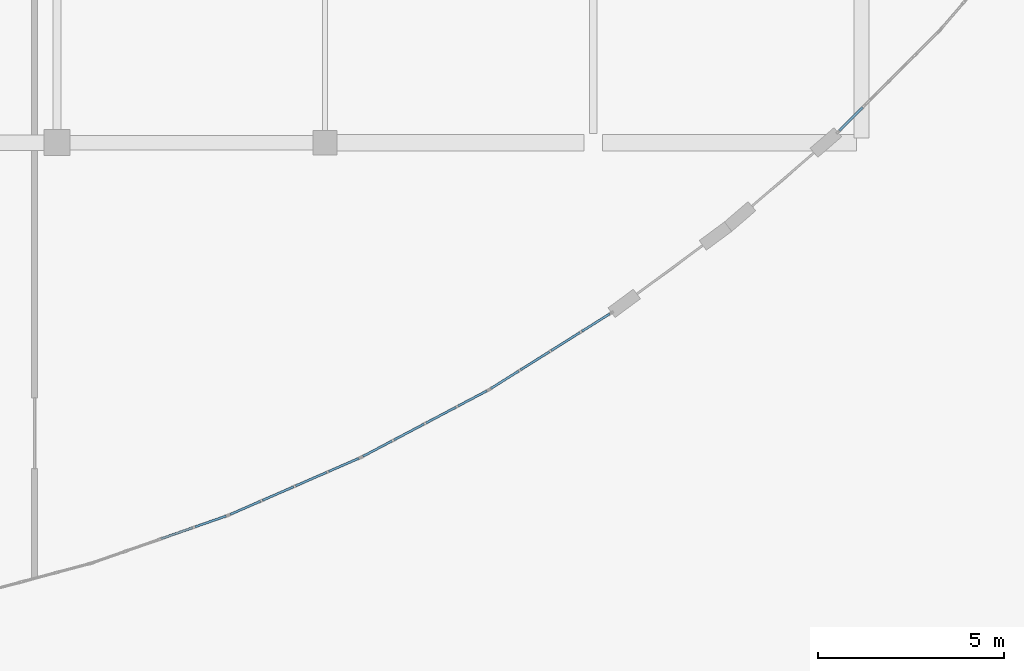
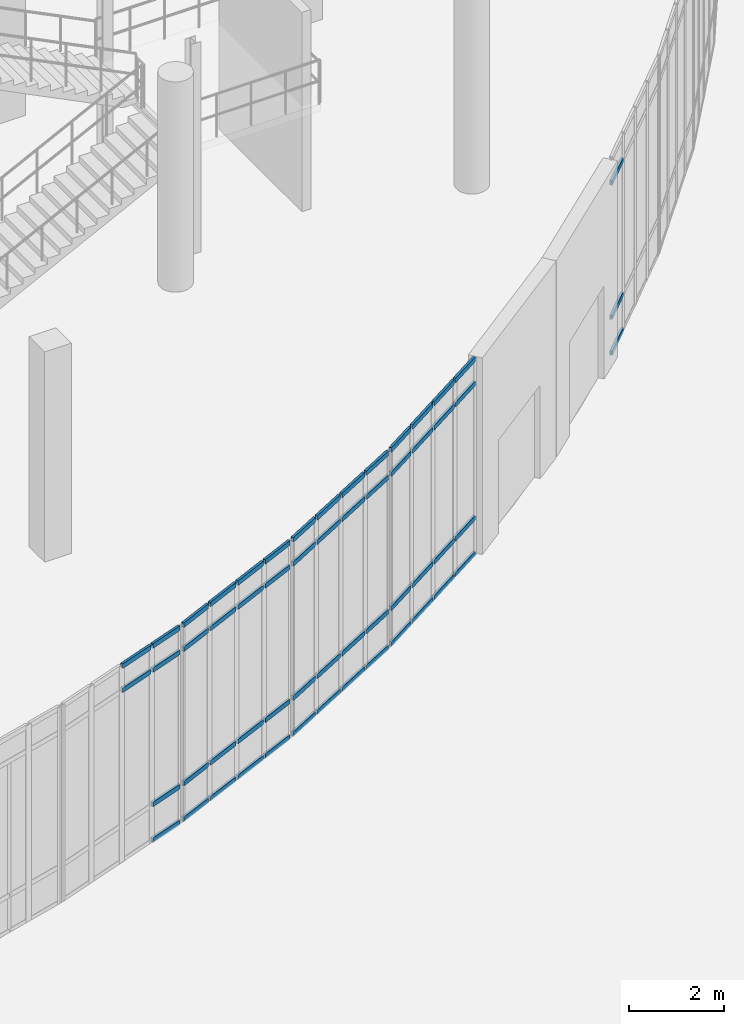
# One storey, part 69 of 110: 57 members, 5 elements without a shape of their own.
"""IFC4 building model written with IfcOpenShell, lengths in metres."""

import ifcopenshell
import ifcopenshell.guid

model = None  # the IFC model being written
_history = None  # IfcOwnerHistory: only IFC2X3 demands one
_inside = {}  # id of a spatial element -> (the spatial element, [elements in it])
_under = {}  # id of a project, library or spatial element -> (it, [spatial elements below it])
_declared = {}  # id of a project -> (the project, [libraries it declares])
_typed = {}  # id of a type object -> (the type object, [elements of that type])
_made_of = {}  # id of a material, layer set ... -> (it, [elements and type objects made of it])


def new_model(schema):
    """Start an empty IFC model of exactly this schema.

    Asked for "IFC4X3", IfcOpenShell would pick the latest addendum, in which some entities
    have other attributes; the version numbers below select the first issue.
    IFC2X3 requires an IfcOwnerHistory on every rooted entity: one is made here for all.
    """
    global model, _history
    if schema == "IFC4X3":
        model = ifcopenshell.file(schema_version=(4, 3, 0, 0))
    else:
        model = ifcopenshell.file(schema=schema)
    _inside.clear()
    _under.clear()
    _declared.clear()
    _typed.clear()
    _made_of.clear()
    _history = None
    if model.schema == "IFC2X3":
        org = make("IfcOrganization", Name="unknown")
        user = make(
            "IfcPersonAndOrganization",
            ThePerson=make("IfcPerson", FamilyName="unknown"),
            TheOrganization=org,
        )
        app = make(
            "IfcApplication",
            ApplicationDeveloper=org,
            Version="unknown",
            ApplicationFullName="unknown",
            ApplicationIdentifier="unknown",
        )
        _history = make(
            "IfcOwnerHistory",
            OwningUser=user,
            OwningApplication=app,
            ChangeAction="ADDED",
            CreationDate=0,
        )
    return model


def make(cls, **values):
    """One entity of the class cls with the attributes given. An attribute that is None is left unset."""
    return model.create_entity(
        cls, **{name: value for name, value in values.items() if value is not None}
    )


def rooted(cls, **values):
    """An entity with a GlobalId (a new one), such as an element, a storey or a relation."""
    return make(cls, GlobalId=ifcopenshell.guid.new(), OwnerHistory=_history, **values)


def si_unit(unit_type, name, prefix=None):
    """IfcSIUnit, for example si_unit("LENGTHUNIT", "METRE", prefix="MILLI")."""
    return make("IfcSIUnit", UnitType=unit_type, Prefix=prefix, Name=name)


def assignment(units):
    """IfcUnitAssignment: the units of a project."""
    return None if units is None else make("IfcUnitAssignment", Units=units)


def point(xyz):
    """IfcCartesianPoint."""
    return None if xyz is None else make("IfcCartesianPoint", Coordinates=xyz)


def direction(xyz):
    """IfcDirection."""
    return None if xyz is None else make("IfcDirection", DirectionRatios=xyz)


def frame(location, z_axis=None, x_axis=None):
    """IfcAxis2Placement3D, a coordinate frame: its origin and axes. An axis left out is left unset."""
    return make(
        "IfcAxis2Placement3D",
        Location=point(location),
        Axis=direction(z_axis),
        RefDirection=direction(x_axis),
    )


def frame_2d(location, x_axis=None):
    """IfcAxis2Placement2D, a coordinate frame in the plane: its origin and x axis."""
    return make(
        "IfcAxis2Placement2D", Location=point(location), RefDirection=direction(x_axis)
    )


def origin():
    """The frame at (0, 0, 0) with its axes left unset."""
    return frame((0.0, 0.0, 0.0))


def origin_2d():
    """The frame at (0, 0) in the plane with its x axis left unset."""
    return frame_2d((0.0, 0.0))


def place(relative_to, where):
    """IfcLocalPlacement: puts the frame where relative to a parent placement (None: the world)."""
    return make(
        "IfcLocalPlacement", PlacementRelTo=relative_to, RelativePlacement=where
    )


def context(
    kind, dimensions, precision=None, world=None, true_north=None, identifier=None
):
    """IfcGeometricRepresentationContext, for example the 3D "Model" context."""
    return make(
        "IfcGeometricRepresentationContext",
        ContextIdentifier=identifier,
        ContextType=kind,
        CoordinateSpaceDimension=dimensions,
        Precision=precision,
        WorldCoordinateSystem=world,
        TrueNorth=true_north,
    )


def subcontext(parent, identifier, kind, view, scale=None):
    """IfcGeometricRepresentationSubContext, for example "Body" below "Model"."""
    return make(
        "IfcGeometricRepresentationSubContext",
        ContextIdentifier=identifier,
        ContextType=kind,
        ParentContext=parent,
        TargetScale=scale,
        TargetView=view,
    )


def project(units=None, contexts=None):
    """IfcProject with its units and contexts."""
    return rooted(
        "IfcProject",
        Name="project",
        RepresentationContexts=contexts,
        UnitsInContext=assignment(units),
    )


def spatial(cls, under=None, at=None, **own):
    """A site, building, storey or space (cls), placed at a placement, below another one or the project."""
    s = rooted(cls, ObjectPlacement=at, **own)
    if under is not None:
        _under.setdefault(under.id(), (under, []))[1].append(s)
    return s


def profile(cls, at=None, kind="AREA", **sizes):
    """A parametric profile (cls). Its sizes go by their IFC names, for example OverallWidth=200.0."""
    return make(cls, ProfileType=kind, Position=at, **sizes)


def hollow_rectangle(**sizes):
    """IfcRectangleHollowProfileDef."""
    return profile("IfcRectangleHollowProfileDef", **sizes)


def extrude(swept, where, along, depth):
    """IfcExtrudedAreaSolid: the profile swept, set in the frame where, extruded along a direction by depth."""
    return make(
        "IfcExtrudedAreaSolid",
        SweptArea=swept,
        Position=where,
        ExtrudedDirection=direction(along),
        Depth=depth,
    )


def shape(context_of_items, identifier, shape_type, items):
    """IfcShapeRepresentation: the items that make up one representation, for example the "Body"."""
    return make(
        "IfcShapeRepresentation",
        ContextOfItems=context_of_items,
        RepresentationIdentifier=identifier,
        RepresentationType=shape_type,
        Items=items,
    )


def material(Name=None, Category=None):
    """IfcMaterial."""
    return make("IfcMaterial", Name=Name, Category=Category)


def material_profile(
    of_material, cross_section, Name=None, Category=None, Priority=None
):
    """IfcMaterialProfile: a cross section and its material."""
    return make(
        "IfcMaterialProfile",
        Name=Name,
        Material=of_material,
        Profile=cross_section,
        Priority=Priority,
        Category=Category,
    )


def profile_set(profiles, Name=None, composite=None):
    """IfcMaterialProfileSet."""
    return make(
        "IfcMaterialProfileSet",
        Name=Name,
        MaterialProfiles=profiles,
        CompositeProfile=composite,
    )


def made_of(thing, what):
    """Note that an element or type object is made of a material, layer set ...; save() writes the relation."""
    if what is not None:
        _made_of.setdefault(what.id(), (what, []))[1].append(thing)
    return thing


def type_object(cls, material=None, **own):
    """A type object (cls), such as IfcWallType, which elements share."""
    return made_of(rooted(cls, **own), material)


def element(
    cls,
    number,
    at=None,
    inside=None,
    cuts=None,
    type_object=None,
    material=None,
    context=None,
    identifier="Body",
    shape_type=None,
    held_by="IfcProductDefinitionShape",
    body=None,
    shapes=None,
    **own,
):
    """One element of the class cls, such as IfcWall. Its Tag is "e" and its number.

    at: its placement. inside: the storey or other place that contains it. cuts: it is an
    opening in that element (IfcRelVoidsElement). A single representation is given by context,
    identifier, shape_type and body (its items); several are given by shapes. held_by: the class
    of the entity that holds the representations. save() writes the other relations.
    """
    e = rooted(cls, Tag="e%d" % number, ObjectPlacement=at, **own)
    if body is not None:
        shapes = [shape(context, identifier, shape_type, body)]
    if shapes is not None:
        e.Representation = make(held_by, Representations=shapes)
    if inside is not None:
        _inside.setdefault(inside.id(), (inside, []))[1].append(e)
    if cuts is not None:
        rooted(
            "IfcRelVoidsElement", RelatingBuildingElement=cuts, RelatedOpeningElement=e
        )
    if type_object is not None:
        _typed.setdefault(type_object.id(), (type_object, []))[1].append(e)
    return made_of(e, material)


def aggregate(whole, parts):
    """IfcRelAggregates: a whole, such as a stair, and the parts it consists of."""
    return rooted("IfcRelAggregates", RelatingObject=whole, RelatedObjects=parts)


def save(model, path):
    """Write the relations noted so far, then the file.

    IfcRelAggregates (storeys below a building ...), IfcRelContainedInSpatialStructure (elements
    in a storey), IfcRelDefinesByType, IfcRelAssociatesMaterial and IfcRelDeclares: one each for
    every whole, place, type object, material and project.
    """
    for whole, parts in _under.values():
        aggregate(whole, parts)
    for where, things in _inside.values():
        rooted(
            "IfcRelContainedInSpatialStructure",
            RelatedElements=things,
            RelatingStructure=where,
        )
    for kind, things in _typed.values():
        rooted("IfcRelDefinesByType", RelatedObjects=things, RelatingType=kind)
    for what, things in _made_of.values():
        rooted("IfcRelAssociatesMaterial", RelatedObjects=things, RelatingMaterial=what)
    for by, libraries in _declared.values():
        rooted("IfcRelDeclares", RelatingContext=by, RelatedDefinitions=libraries)
    model.write(path)


model = new_model("IFC4")

# Units and contexts
model_context = context("Model", 3, precision=1e-05, world=origin(), true_north=direction((0.0, 1.0)))
body_context = subcontext(model_context, "Body", "Model", "MODEL_VIEW")
ifc_project = project(units=[si_unit("LENGTHUNIT", "METRE"), si_unit("AREAUNIT", "SQUARE_METRE"), si_unit("VOLUMEUNIT", "CUBIC_METRE"), si_unit("PLANEANGLEUNIT", "RADIAN"), si_unit("MASSUNIT", "GRAM", prefix="KILO")], contexts=[model_context])

# Site, building, storey
site_placement = place(None, origin())
site = spatial("IfcSite", under=ifc_project, at=site_placement, CompositionType="ELEMENT")
building_placement = place(site_placement, origin())
building = spatial("IfcBuilding", under=site, at=building_placement, Name="Kalluvel Institute of Natural Sciences", CompositionType="ELEMENT")
storey_placement = place(building_placement, origin())
storey = spatial("IfcBuildingStorey", under=building, at=storey_placement, Name="L00", CompositionType="ELEMENT", Elevation=0.0)

# Curtain wall, members
ifc_material = material(Name="Aluminium AW-6063 T6", Category="aluminium")
curtain_wall_type = type_object("IfcCurtainWallType", Name="CW-ATR-L00", PredefinedType="USERDEFINED", material=ifc_material)
curtain_wall_1_placement = place(storey_placement, origin())
curtain_wall_1 = element("IfcCurtainWall", 1, at=curtain_wall_1_placement, inside=storey, type_object=curtain_wall_type, Name="L00 Gothic lancet curtain wall CWA-L00-X509-Y531", ObjectType="UNITISED LANCET FACADE", PredefinedType="USERDEFINED")
ifc_material_profile = material_profile(ifc_material, hollow_rectangle(XDim=0.06005859375, YDim=0.1201171875, WallThickness=0.00390625, at=origin_2d()), Name="CWT 60x120")
ifc_profile_set = profile_set([ifc_material_profile], Name="Aluminium AW-6063 T6")
member_type = type_object("IfcMemberType", Name="CWT-60x120", PredefinedType="USERDEFINED", material=ifc_profile_set)
member_1_placement = place(storey_placement, frame((52.790771484375, 53.76220703125, 4.39990234375), z_axis=(0.94389590052, 0.330243136161, 0.0), x_axis=(-0.330243136161, 0.94389590052, 0.0)))
member_1 = element("IfcMember", 2, at=member_1_placement, type_object=member_type, Name="CW-06 transom 3.3", ObjectType="TRANSOM", PredefinedType="USERDEFINED", context=body_context, shape_type="SweptSolid", body=[
    extrude(hollow_rectangle(XDim=0.06005859375, YDim=0.1201171875, WallThickness=0.00390625, at=origin_2d()), origin(), (0.0, 0.0, 1.0), 0.912353515625),
])
member_2_placement = place(storey_placement, frame((52.790771484375, 53.76220703125, 5.02001953125), z_axis=(0.94389590052, 0.330243136161, 0.0), x_axis=(-0.330243136161, 0.94389590052, 0.0)))
member_2 = element("IfcMember", 3, at=member_2_placement, type_object=member_type, Name="CW-06 transom 3.4", ObjectType="TRANSOM", PredefinedType="USERDEFINED", context=body_context, shape_type="SweptSolid", body=[
    extrude(hollow_rectangle(XDim=0.06005859375, YDim=0.1201171875, WallThickness=0.00390625, at=origin_2d()), origin(), (0.0, 0.0, 1.0), 0.912353515625),
])
member_3_placement = place(storey_placement, frame((53.70849609375, 54.08349609375, 0.030029296875), z_axis=(0.943901502605, 0.330227123932, 0.0), x_axis=(-0.330227123932, 0.943901502605, 0.0)))
member_3 = element("IfcMember", 4, at=member_3_placement, type_object=member_type, Name="CW-06 transom 4.1", ObjectType="TRANSOM", PredefinedType="USERDEFINED", context=body_context, shape_type="SweptSolid", body=[
    extrude(hollow_rectangle(XDim=0.06005859375, YDim=0.1201171875, WallThickness=0.00390625, at=origin_2d()), origin(), (0.0, 0.0, 1.0), 0.882080078125),
])
member_4_placement = place(storey_placement, frame((53.70849609375, 54.08349609375, 0.949951171875), z_axis=(0.943901502605, 0.330227123932, 0.0), x_axis=(-0.330227123932, 0.943901502605, 0.0)))
member_4 = element("IfcMember", 5, at=member_4_placement, type_object=member_type, Name="CW-06 transom 4.2", ObjectType="TRANSOM", PredefinedType="USERDEFINED", context=body_context, shape_type="SweptSolid", body=[
    extrude(hollow_rectangle(XDim=0.06005859375, YDim=0.1201171875, WallThickness=0.00390625, at=origin_2d()), origin(), (0.0, 0.0, 1.0), 0.882080078125),
])
member_5_placement = place(storey_placement, frame((53.70849609375, 54.08349609375, 4.39990234375), z_axis=(0.943901502605, 0.330227123932, 0.0), x_axis=(-0.330227123932, 0.943901502605, 0.0)))
member_5 = element("IfcMember", 6, at=member_5_placement, type_object=member_type, Name="CW-06 transom 4.3", ObjectType="TRANSOM", PredefinedType="USERDEFINED", context=body_context, shape_type="SweptSolid", body=[
    extrude(hollow_rectangle(XDim=0.06005859375, YDim=0.1201171875, WallThickness=0.00390625, at=origin_2d()), origin(), (0.0, 0.0, 1.0), 0.882080078125),
])
member_6_placement = place(storey_placement, frame((53.70849609375, 54.08349609375, 5.02001953125), z_axis=(0.943901502605, 0.330227123932, 0.0), x_axis=(-0.330227123932, 0.943901502605, 0.0)))
member_6 = element("IfcMember", 7, at=member_6_placement, type_object=member_type, Name="CW-06 transom 4.4", ObjectType="TRANSOM", PredefinedType="USERDEFINED", context=body_context, shape_type="SweptSolid", body=[
    extrude(hollow_rectangle(XDim=0.06005859375, YDim=0.1201171875, WallThickness=0.00390625, at=origin_2d()), origin(), (0.0, 0.0, 1.0), 0.882080078125),
])
aggregate(curtain_wall_1, [member_1, member_2, member_3, member_4, member_5, member_6])

curtain_wall_2_placement = place(storey_placement, origin())
curtain_wall_2 = element("IfcCurtainWall", 8, at=curtain_wall_2_placement, inside=storey, type_object=curtain_wall_type, Name="L00 Gothic lancet curtain wall CWA-L00-X546-Y544", ObjectType="UNITISED LANCET FACADE", PredefinedType="USERDEFINED")
member_7_placement = place(storey_placement, frame((54.652587890625, 54.418701171875, 0.030029296875), z_axis=(0.916664767862, 0.399656982124, 0.0), x_axis=(-0.399656982124, 0.916664767862, 0.0)))
member_7 = element("IfcMember", 9, at=member_7_placement, type_object=member_type, Name="CW-06 transom 1.1", ObjectType="TRANSOM", PredefinedType="USERDEFINED", context=body_context, shape_type="SweptSolid", body=[
    extrude(hollow_rectangle(XDim=0.06005859375, YDim=0.1201171875, WallThickness=0.00390625, at=origin_2d()), origin(), (0.0, 0.0, 1.0), 0.882080078125),
])
member_8_placement = place(storey_placement, frame((54.652587890625, 54.418701171875, 0.949951171875), z_axis=(0.916664767862, 0.399656982124, 0.0), x_axis=(-0.399656982124, 0.916664767862, 0.0)))
member_8 = element("IfcMember", 10, at=member_8_placement, type_object=member_type, Name="CW-06 transom 1.2", ObjectType="TRANSOM", PredefinedType="USERDEFINED", context=body_context, shape_type="SweptSolid", body=[
    extrude(hollow_rectangle(XDim=0.06005859375, YDim=0.1201171875, WallThickness=0.00390625, at=origin_2d()), origin(), (0.0, 0.0, 1.0), 0.882080078125),
])
member_9_placement = place(storey_placement, frame((54.652587890625, 54.418701171875, 4.39990234375), z_axis=(0.916664767862, 0.399656982124, 0.0), x_axis=(-0.399656982124, 0.916664767862, 0.0)))
member_9 = element("IfcMember", 11, at=member_9_placement, type_object=member_type, Name="CW-06 transom 1.3", ObjectType="TRANSOM", PredefinedType="USERDEFINED", context=body_context, shape_type="SweptSolid", body=[
    extrude(hollow_rectangle(XDim=0.06005859375, YDim=0.1201171875, WallThickness=0.00390625, at=origin_2d()), origin(), (0.0, 0.0, 1.0), 0.882080078125),
])
member_10_placement = place(storey_placement, frame((54.652587890625, 54.418701171875, 5.02001953125), z_axis=(0.916664767862, 0.399656982124, 0.0), x_axis=(-0.399656982124, 0.916664767862, 0.0)))
member_10 = element("IfcMember", 12, at=member_10_placement, type_object=member_type, Name="CW-06 transom 1.4", ObjectType="TRANSOM", PredefinedType="USERDEFINED", context=body_context, shape_type="SweptSolid", body=[
    extrude(hollow_rectangle(XDim=0.06005859375, YDim=0.1201171875, WallThickness=0.00390625, at=origin_2d()), origin(), (0.0, 0.0, 1.0), 0.882080078125),
])
member_11_placement = place(storey_placement, frame((55.516357421875, 54.79541015625, 0.030029296875), z_axis=(0.916550082429, 0.399919924985, 0.0), x_axis=(-0.399919924985, 0.916550082429, 0.0)))
member_11 = element("IfcMember", 13, at=member_11_placement, type_object=member_type, Name="CW-06 transom 2.1", ObjectType="TRANSOM", PredefinedType="USERDEFINED", context=body_context, shape_type="SweptSolid", body=[
    extrude(hollow_rectangle(XDim=0.06005859375, YDim=0.1201171875, WallThickness=0.00390625, at=origin_2d()), origin(), (0.0, 0.0, 1.0), 0.912109375),
])
member_12_placement = place(storey_placement, frame((55.516357421875, 54.79541015625, 0.949951171875), z_axis=(0.916550082429, 0.399919924985, 0.0), x_axis=(-0.399919924985, 0.916550082429, 0.0)))
member_12 = element("IfcMember", 14, at=member_12_placement, type_object=member_type, Name="CW-06 transom 2.2", ObjectType="TRANSOM", PredefinedType="USERDEFINED", context=body_context, shape_type="SweptSolid", body=[
    extrude(hollow_rectangle(XDim=0.06005859375, YDim=0.1201171875, WallThickness=0.00390625, at=origin_2d()), origin(), (0.0, 0.0, 1.0), 0.912109375),
])
member_13_placement = place(storey_placement, frame((55.516357421875, 54.79541015625, 4.39990234375), z_axis=(0.916550082429, 0.399919924985, 0.0), x_axis=(-0.399919924985, 0.916550082429, 0.0)))
member_13 = element("IfcMember", 15, at=member_13_placement, type_object=member_type, Name="CW-06 transom 2.3", ObjectType="TRANSOM", PredefinedType="USERDEFINED", context=body_context, shape_type="SweptSolid", body=[
    extrude(hollow_rectangle(XDim=0.06005859375, YDim=0.1201171875, WallThickness=0.00390625, at=origin_2d()), origin(), (0.0, 0.0, 1.0), 0.912109375),
])
member_14_placement = place(storey_placement, frame((55.516357421875, 54.79541015625, 5.02001953125), z_axis=(0.916550082429, 0.399919924985, 0.0), x_axis=(-0.399919924985, 0.916550082429, 0.0)))
member_14 = element("IfcMember", 16, at=member_14_placement, type_object=member_type, Name="CW-06 transom 2.4", ObjectType="TRANSOM", PredefinedType="USERDEFINED", context=body_context, shape_type="SweptSolid", body=[
    extrude(hollow_rectangle(XDim=0.06005859375, YDim=0.1201171875, WallThickness=0.00390625, at=origin_2d()), origin(), (0.0, 0.0, 1.0), 0.912109375),
])
member_15_placement = place(storey_placement, frame((56.4072265625, 55.18408203125, 0.030029296875), z_axis=(0.916592878975, 0.399821828084, 0.0), x_axis=(-0.399821828084, 0.916592878975, 0.0)))
member_15 = element("IfcMember", 17, at=member_15_placement, type_object=member_type, Name="CW-06 transom 3.1", ObjectType="TRANSOM", PredefinedType="USERDEFINED", context=body_context, shape_type="SweptSolid", body=[
    extrude(hollow_rectangle(XDim=0.06005859375, YDim=0.1201171875, WallThickness=0.00390625, at=origin_2d()), origin(), (0.0, 0.0, 1.0), 0.912353515625),
])
member_16_placement = place(storey_placement, frame((56.4072265625, 55.18408203125, 0.949951171875), z_axis=(0.916592878975, 0.399821828084, 0.0), x_axis=(-0.399821828084, 0.916592878975, 0.0)))
member_16 = element("IfcMember", 18, at=member_16_placement, type_object=member_type, Name="CW-06 transom 3.2", ObjectType="TRANSOM", PredefinedType="USERDEFINED", context=body_context, shape_type="SweptSolid", body=[
    extrude(hollow_rectangle(XDim=0.06005859375, YDim=0.1201171875, WallThickness=0.00390625, at=origin_2d()), origin(), (0.0, 0.0, 1.0), 0.912353515625),
])
member_17_placement = place(storey_placement, frame((56.4072265625, 55.18408203125, 4.39990234375), z_axis=(0.916592878975, 0.399821828084, 0.0), x_axis=(-0.399821828084, 0.916592878975, 0.0)))
member_17 = element("IfcMember", 19, at=member_17_placement, type_object=member_type, Name="CW-06 transom 3.3", ObjectType="TRANSOM", PredefinedType="USERDEFINED", context=body_context, shape_type="SweptSolid", body=[
    extrude(hollow_rectangle(XDim=0.06005859375, YDim=0.1201171875, WallThickness=0.00390625, at=origin_2d()), origin(), (0.0, 0.0, 1.0), 0.912353515625),
])
member_18_placement = place(storey_placement, frame((56.4072265625, 55.18408203125, 5.02001953125), z_axis=(0.916592878975, 0.399821828084, 0.0), x_axis=(-0.399821828084, 0.916592878975, 0.0)))
member_18 = element("IfcMember", 20, at=member_18_placement, type_object=member_type, Name="CW-06 transom 3.4", ObjectType="TRANSOM", PredefinedType="USERDEFINED", context=body_context, shape_type="SweptSolid", body=[
    extrude(hollow_rectangle(XDim=0.06005859375, YDim=0.1201171875, WallThickness=0.00390625, at=origin_2d()), origin(), (0.0, 0.0, 1.0), 0.912353515625),
])
member_19_placement = place(storey_placement, frame((57.29833984375, 55.57275390625, 0.030029296875), z_axis=(0.916563354208, 0.399889506893, 0.0), x_axis=(-0.399889506893, 0.916563354208, 0.0)))
member_19 = element("IfcMember", 21, at=member_19_placement, type_object=member_type, Name="CW-06 transom 4.1", ObjectType="TRANSOM", PredefinedType="USERDEFINED", context=body_context, shape_type="SweptSolid", body=[
    extrude(hollow_rectangle(XDim=0.06005859375, YDim=0.1201171875, WallThickness=0.00390625, at=origin_2d()), origin(), (0.0, 0.0, 1.0), 0.882080078125),
])
member_20_placement = place(storey_placement, frame((57.29833984375, 55.57275390625, 0.949951171875), z_axis=(0.916563354208, 0.399889506893, 0.0), x_axis=(-0.399889506893, 0.916563354208, 0.0)))
member_20 = element("IfcMember", 22, at=member_20_placement, type_object=member_type, Name="CW-06 transom 4.2", ObjectType="TRANSOM", PredefinedType="USERDEFINED", context=body_context, shape_type="SweptSolid", body=[
    extrude(hollow_rectangle(XDim=0.06005859375, YDim=0.1201171875, WallThickness=0.00390625, at=origin_2d()), origin(), (0.0, 0.0, 1.0), 0.882080078125),
])
member_21_placement = place(storey_placement, frame((57.29833984375, 55.57275390625, 4.39990234375), z_axis=(0.916563354208, 0.399889506893, 0.0), x_axis=(-0.399889506893, 0.916563354208, 0.0)))
member_21 = element("IfcMember", 23, at=member_21_placement, type_object=member_type, Name="CW-06 transom 4.3", ObjectType="TRANSOM", PredefinedType="USERDEFINED", context=body_context, shape_type="SweptSolid", body=[
    extrude(hollow_rectangle(XDim=0.06005859375, YDim=0.1201171875, WallThickness=0.00390625, at=origin_2d()), origin(), (0.0, 0.0, 1.0), 0.882080078125),
])
member_22_placement = place(storey_placement, frame((57.29833984375, 55.57275390625, 5.02001953125), z_axis=(0.916563354208, 0.399889506893, 0.0), x_axis=(-0.399889506893, 0.916563354208, 0.0)))
member_22 = element("IfcMember", 24, at=member_22_placement, type_object=member_type, Name="CW-06 transom 4.4", ObjectType="TRANSOM", PredefinedType="USERDEFINED", context=body_context, shape_type="SweptSolid", body=[
    extrude(hollow_rectangle(XDim=0.06005859375, YDim=0.1201171875, WallThickness=0.00390625, at=origin_2d()), origin(), (0.0, 0.0, 1.0), 0.882080078125),
])
aggregate(curtain_wall_2, [member_7, member_8, member_9, member_10, member_11, member_12, member_13, member_14, member_15, member_16, member_17, member_18, member_19, member_20, member_21, member_22])

curtain_wall_3_placement = place(storey_placement, origin())
curtain_wall_3 = element("IfcCurtainWall", 25, at=curtain_wall_3_placement, inside=storey, type_object=curtain_wall_type, Name="L00 Gothic lancet curtain wall CWA-L00-X582-Y559", ObjectType="UNITISED LANCET FACADE", PredefinedType="USERDEFINED")
member_23_placement = place(storey_placement, frame((58.215087890625, 55.9775390625, 0.030029296875), z_axis=(0.884009982404, 0.467468021378, 0.0), x_axis=(-0.467468021378, 0.884009982404, 0.0)))
member_23 = element("IfcMember", 26, at=member_23_placement, type_object=member_type, Name="CW-06 transom 1.1", ObjectType="TRANSOM", PredefinedType="USERDEFINED", context=body_context, shape_type="SweptSolid", body=[
    extrude(hollow_rectangle(XDim=0.06005859375, YDim=0.1201171875, WallThickness=0.00390625, at=origin_2d()), origin(), (0.0, 0.0, 1.0), 0.882080078125),
])
member_24_placement = place(storey_placement, frame((58.215087890625, 55.9775390625, 0.949951171875), z_axis=(0.884009982404, 0.467468021378, 0.0), x_axis=(-0.467468021378, 0.884009982404, 0.0)))
member_24 = element("IfcMember", 27, at=member_24_placement, type_object=member_type, Name="CW-06 transom 1.2", ObjectType="TRANSOM", PredefinedType="USERDEFINED", context=body_context, shape_type="SweptSolid", body=[
    extrude(hollow_rectangle(XDim=0.06005859375, YDim=0.1201171875, WallThickness=0.00390625, at=origin_2d()), origin(), (0.0, 0.0, 1.0), 0.882080078125),
])
member_25_placement = place(storey_placement, frame((58.215087890625, 55.9775390625, 4.39990234375), z_axis=(0.884009982404, 0.467468021378, 0.0), x_axis=(-0.467468021378, 0.884009982404, 0.0)))
member_25 = element("IfcMember", 28, at=member_25_placement, type_object=member_type, Name="CW-06 transom 1.3", ObjectType="TRANSOM", PredefinedType="USERDEFINED", context=body_context, shape_type="SweptSolid", body=[
    extrude(hollow_rectangle(XDim=0.06005859375, YDim=0.1201171875, WallThickness=0.00390625, at=origin_2d()), origin(), (0.0, 0.0, 1.0), 0.882080078125),
])
member_26_placement = place(storey_placement, frame((58.215087890625, 55.9775390625, 5.02001953125), z_axis=(0.884009982404, 0.467468021378, 0.0), x_axis=(-0.467468021378, 0.884009982404, 0.0)))
member_26 = element("IfcMember", 29, at=member_26_placement, type_object=member_type, Name="CW-06 transom 1.4", ObjectType="TRANSOM", PredefinedType="USERDEFINED", context=body_context, shape_type="SweptSolid", body=[
    extrude(hollow_rectangle(XDim=0.06005859375, YDim=0.1201171875, WallThickness=0.00390625, at=origin_2d()), origin(), (0.0, 0.0, 1.0), 0.882080078125),
])
member_27_placement = place(storey_placement, frame((59.048095703125, 56.41796875, 0.030029296875), z_axis=(0.884080722187, 0.467334223717, 0.0), x_axis=(-0.467334223717, 0.884080722187, 0.0)))
member_27 = element("IfcMember", 30, at=member_27_placement, type_object=member_type, Name="CW-06 transom 2.1", ObjectType="TRANSOM", PredefinedType="USERDEFINED", context=body_context, shape_type="SweptSolid", body=[
    extrude(hollow_rectangle(XDim=0.06005859375, YDim=0.1201171875, WallThickness=0.00390625, at=origin_2d()), origin(), (0.0, 0.0, 1.0), 0.912109375),
])
member_28_placement = place(storey_placement, frame((59.048095703125, 56.41796875, 0.949951171875), z_axis=(0.884080722187, 0.467334223717, 0.0), x_axis=(-0.467334223717, 0.884080722187, 0.0)))
member_28 = element("IfcMember", 31, at=member_28_placement, type_object=member_type, Name="CW-06 transom 2.2", ObjectType="TRANSOM", PredefinedType="USERDEFINED", context=body_context, shape_type="SweptSolid", body=[
    extrude(hollow_rectangle(XDim=0.06005859375, YDim=0.1201171875, WallThickness=0.00390625, at=origin_2d()), origin(), (0.0, 0.0, 1.0), 0.912109375),
])
member_29_placement = place(storey_placement, frame((59.048095703125, 56.41796875, 4.39990234375), z_axis=(0.884080722187, 0.467334223717, 0.0), x_axis=(-0.467334223717, 0.884080722187, 0.0)))
member_29 = element("IfcMember", 32, at=member_29_placement, type_object=member_type, Name="CW-06 transom 2.3", ObjectType="TRANSOM", PredefinedType="USERDEFINED", context=body_context, shape_type="SweptSolid", body=[
    extrude(hollow_rectangle(XDim=0.06005859375, YDim=0.1201171875, WallThickness=0.00390625, at=origin_2d()), origin(), (0.0, 0.0, 1.0), 0.912109375),
])
member_30_placement = place(storey_placement, frame((59.048095703125, 56.41796875, 5.02001953125), z_axis=(0.884080722187, 0.467334223717, 0.0), x_axis=(-0.467334223717, 0.884080722187, 0.0)))
member_30 = element("IfcMember", 33, at=member_30_placement, type_object=member_type, Name="CW-06 transom 2.4", ObjectType="TRANSOM", PredefinedType="USERDEFINED", context=body_context, shape_type="SweptSolid", body=[
    extrude(hollow_rectangle(XDim=0.06005859375, YDim=0.1201171875, WallThickness=0.00390625, at=origin_2d()), origin(), (0.0, 0.0, 1.0), 0.912109375),
])
member_31_placement = place(storey_placement, frame((59.907470703125, 56.8720703125, 0.030029296875), z_axis=(0.884080722187, 0.467334223717, 0.0), x_axis=(-0.467334223717, 0.884080722187, 0.0)))
member_31 = element("IfcMember", 34, at=member_31_placement, type_object=member_type, Name="CW-06 transom 3.1", ObjectType="TRANSOM", PredefinedType="USERDEFINED", context=body_context, shape_type="SweptSolid", body=[
    extrude(hollow_rectangle(XDim=0.06005859375, YDim=0.1201171875, WallThickness=0.00390625, at=origin_2d()), origin(), (0.0, 0.0, 1.0), 0.912109375),
])
member_32_placement = place(storey_placement, frame((59.907470703125, 56.8720703125, 0.949951171875), z_axis=(0.884080722187, 0.467334223717, 0.0), x_axis=(-0.467334223717, 0.884080722187, 0.0)))
member_32 = element("IfcMember", 35, at=member_32_placement, type_object=member_type, Name="CW-06 transom 3.2", ObjectType="TRANSOM", PredefinedType="USERDEFINED", context=body_context, shape_type="SweptSolid", body=[
    extrude(hollow_rectangle(XDim=0.06005859375, YDim=0.1201171875, WallThickness=0.00390625, at=origin_2d()), origin(), (0.0, 0.0, 1.0), 0.912109375),
])
member_33_placement = place(storey_placement, frame((59.907470703125, 56.8720703125, 4.39990234375), z_axis=(0.884080722187, 0.467334223717, 0.0), x_axis=(-0.467334223717, 0.884080722187, 0.0)))
member_33 = element("IfcMember", 36, at=member_33_placement, type_object=member_type, Name="CW-06 transom 3.3", ObjectType="TRANSOM", PredefinedType="USERDEFINED", context=body_context, shape_type="SweptSolid", body=[
    extrude(hollow_rectangle(XDim=0.06005859375, YDim=0.1201171875, WallThickness=0.00390625, at=origin_2d()), origin(), (0.0, 0.0, 1.0), 0.912109375),
])
member_34_placement = place(storey_placement, frame((59.907470703125, 56.8720703125, 5.02001953125), z_axis=(0.884080722187, 0.467334223717, 0.0), x_axis=(-0.467334223717, 0.884080722187, 0.0)))
member_34 = element("IfcMember", 37, at=member_34_placement, type_object=member_type, Name="CW-06 transom 3.4", ObjectType="TRANSOM", PredefinedType="USERDEFINED", context=body_context, shape_type="SweptSolid", body=[
    extrude(hollow_rectangle(XDim=0.06005859375, YDim=0.1201171875, WallThickness=0.00390625, at=origin_2d()), origin(), (0.0, 0.0, 1.0), 0.912109375),
])
member_35_placement = place(storey_placement, frame((60.76708984375, 57.326416015625, 0.030029296875), z_axis=(0.884009982404, 0.467468021378, 0.0), x_axis=(-0.467468021378, 0.884009982404, 0.0)))
member_35 = element("IfcMember", 38, at=member_35_placement, type_object=member_type, Name="CW-06 transom 4.1", ObjectType="TRANSOM", PredefinedType="USERDEFINED", context=body_context, shape_type="SweptSolid", body=[
    extrude(hollow_rectangle(XDim=0.06005859375, YDim=0.1201171875, WallThickness=0.00390625, at=origin_2d()), origin(), (0.0, 0.0, 1.0), 0.882080078125),
])
member_36_placement = place(storey_placement, frame((60.76708984375, 57.326416015625, 0.949951171875), z_axis=(0.884009982404, 0.467468021378, 0.0), x_axis=(-0.467468021378, 0.884009982404, 0.0)))
member_36 = element("IfcMember", 39, at=member_36_placement, type_object=member_type, Name="CW-06 transom 4.2", ObjectType="TRANSOM", PredefinedType="USERDEFINED", context=body_context, shape_type="SweptSolid", body=[
    extrude(hollow_rectangle(XDim=0.06005859375, YDim=0.1201171875, WallThickness=0.00390625, at=origin_2d()), origin(), (0.0, 0.0, 1.0), 0.882080078125),
])
member_37_placement = place(storey_placement, frame((60.76708984375, 57.326416015625, 4.39990234375), z_axis=(0.884009982404, 0.467468021378, 0.0), x_axis=(-0.467468021378, 0.884009982404, 0.0)))
member_37 = element("IfcMember", 40, at=member_37_placement, type_object=member_type, Name="CW-06 transom 4.3", ObjectType="TRANSOM", PredefinedType="USERDEFINED", context=body_context, shape_type="SweptSolid", body=[
    extrude(hollow_rectangle(XDim=0.06005859375, YDim=0.1201171875, WallThickness=0.00390625, at=origin_2d()), origin(), (0.0, 0.0, 1.0), 0.882080078125),
])
member_38_placement = place(storey_placement, frame((60.76708984375, 57.326416015625, 5.02001953125), z_axis=(0.884009982404, 0.467468021378, 0.0), x_axis=(-0.467468021378, 0.884009982404, 0.0)))
member_38 = element("IfcMember", 41, at=member_38_placement, type_object=member_type, Name="CW-06 transom 4.4", ObjectType="TRANSOM", PredefinedType="USERDEFINED", context=body_context, shape_type="SweptSolid", body=[
    extrude(hollow_rectangle(XDim=0.06005859375, YDim=0.1201171875, WallThickness=0.00390625, at=origin_2d()), origin(), (0.0, 0.0, 1.0), 0.882080078125),
])
aggregate(curtain_wall_3, [member_23, member_24, member_25, member_26, member_27, member_28, member_29, member_30, member_31, member_32, member_33, member_34, member_35, member_36, member_37, member_38])

curtain_wall_4_placement = place(storey_placement, origin())
curtain_wall_4 = element("IfcCurtainWall", 42, at=curtain_wall_4_placement, inside=storey, type_object=curtain_wall_type, Name="L00 Gothic lancet curtain wall CWA-L00-X616-Y578", ObjectType="UNITISED LANCET FACADE", PredefinedType="USERDEFINED")
member_39_placement = place(storey_placement, frame((61.65087890625, 57.798583984375, 0.030029296875), z_axis=(0.846611609031, 0.532211220715, 0.0), x_axis=(-0.532211220715, 0.846611609031, 0.0)))
member_39 = element("IfcMember", 43, at=member_39_placement, type_object=member_type, Name="CW-06 transom 1.1", ObjectType="TRANSOM", PredefinedType="USERDEFINED", context=body_context, shape_type="SweptSolid", body=[
    extrude(hollow_rectangle(XDim=0.06005859375, YDim=0.1201171875, WallThickness=0.00390625, at=origin_2d()), origin(), (0.0, 0.0, 1.0), 0.882080078125),
])
member_40_placement = place(storey_placement, frame((61.65087890625, 57.798583984375, 0.949951171875), z_axis=(0.846611609031, 0.532211220715, 0.0), x_axis=(-0.532211220715, 0.846611609031, 0.0)))
member_40 = element("IfcMember", 44, at=member_40_placement, type_object=member_type, Name="CW-06 transom 1.2", ObjectType="TRANSOM", PredefinedType="USERDEFINED", context=body_context, shape_type="SweptSolid", body=[
    extrude(hollow_rectangle(XDim=0.06005859375, YDim=0.1201171875, WallThickness=0.00390625, at=origin_2d()), origin(), (0.0, 0.0, 1.0), 0.882080078125),
])
member_41_placement = place(storey_placement, frame((61.65087890625, 57.798583984375, 4.39990234375), z_axis=(0.846611609031, 0.532211220715, 0.0), x_axis=(-0.532211220715, 0.846611609031, 0.0)))
member_41 = element("IfcMember", 45, at=member_41_placement, type_object=member_type, Name="CW-06 transom 1.3", ObjectType="TRANSOM", PredefinedType="USERDEFINED", context=body_context, shape_type="SweptSolid", body=[
    extrude(hollow_rectangle(XDim=0.06005859375, YDim=0.1201171875, WallThickness=0.00390625, at=origin_2d()), origin(), (0.0, 0.0, 1.0), 0.882080078125),
])
member_42_placement = place(storey_placement, frame((61.65087890625, 57.798583984375, 5.02001953125), z_axis=(0.846611609031, 0.532211220715, 0.0), x_axis=(-0.532211220715, 0.846611609031, 0.0)))
member_42 = element("IfcMember", 46, at=member_42_placement, type_object=member_type, Name="CW-06 transom 1.4", ObjectType="TRANSOM", PredefinedType="USERDEFINED", context=body_context, shape_type="SweptSolid", body=[
    extrude(hollow_rectangle(XDim=0.06005859375, YDim=0.1201171875, WallThickness=0.00390625, at=origin_2d()), origin(), (0.0, 0.0, 1.0), 0.882080078125),
])
member_43_placement = place(storey_placement, frame((62.448486328125, 58.2998046875, 0.030029296875), z_axis=(0.846732995614, 0.53201807689, 0.0), x_axis=(-0.53201807689, 0.846732995614, 0.0)))
member_43 = element("IfcMember", 47, at=member_43_placement, type_object=member_type, Name="CW-06 transom 2.1", ObjectType="TRANSOM", PredefinedType="USERDEFINED", context=body_context, shape_type="SweptSolid", body=[
    extrude(hollow_rectangle(XDim=0.06005859375, YDim=0.1201171875, WallThickness=0.00390625, at=origin_2d()), origin(), (0.0, 0.0, 1.0), 0.912353515625),
])
member_44_placement = place(storey_placement, frame((62.448486328125, 58.2998046875, 0.949951171875), z_axis=(0.846732995614, 0.53201807689, 0.0), x_axis=(-0.53201807689, 0.846732995614, 0.0)))
member_44 = element("IfcMember", 48, at=member_44_placement, type_object=member_type, Name="CW-06 transom 2.2", ObjectType="TRANSOM", PredefinedType="USERDEFINED", context=body_context, shape_type="SweptSolid", body=[
    extrude(hollow_rectangle(XDim=0.06005859375, YDim=0.1201171875, WallThickness=0.00390625, at=origin_2d()), origin(), (0.0, 0.0, 1.0), 0.912353515625),
])
member_45_placement = place(storey_placement, frame((62.448486328125, 58.2998046875, 4.39990234375), z_axis=(0.846732995614, 0.53201807689, 0.0), x_axis=(-0.53201807689, 0.846732995614, 0.0)))
member_45 = element("IfcMember", 49, at=member_45_placement, type_object=member_type, Name="CW-06 transom 2.3", ObjectType="TRANSOM", PredefinedType="USERDEFINED", context=body_context, shape_type="SweptSolid", body=[
    extrude(hollow_rectangle(XDim=0.06005859375, YDim=0.1201171875, WallThickness=0.00390625, at=origin_2d()), origin(), (0.0, 0.0, 1.0), 0.912353515625),
])
member_46_placement = place(storey_placement, frame((62.448486328125, 58.2998046875, 5.02001953125), z_axis=(0.846732995614, 0.53201807689, 0.0), x_axis=(-0.53201807689, 0.846732995614, 0.0)))
member_46 = element("IfcMember", 50, at=member_46_placement, type_object=member_type, Name="CW-06 transom 2.4", ObjectType="TRANSOM", PredefinedType="USERDEFINED", context=body_context, shape_type="SweptSolid", body=[
    extrude(hollow_rectangle(XDim=0.06005859375, YDim=0.1201171875, WallThickness=0.00390625, at=origin_2d()), origin(), (0.0, 0.0, 1.0), 0.912353515625),
])
member_47_placement = place(storey_placement, frame((63.271728515625, 58.817138671875, 0.030029296875), z_axis=(0.846657223323, 0.532138653167, 0.0), x_axis=(-0.532138653167, 0.846657223323, 0.0)))
member_47 = element("IfcMember", 51, at=member_47_placement, type_object=member_type, Name="CW-06 transom 3.1", ObjectType="TRANSOM", PredefinedType="USERDEFINED", context=body_context, shape_type="SweptSolid", body=[
    extrude(hollow_rectangle(XDim=0.06005859375, YDim=0.1201171875, WallThickness=0.00390625, at=origin_2d()), origin(), (0.0, 0.0, 1.0), 0.912109375),
])
member_48_placement = place(storey_placement, frame((63.271728515625, 58.817138671875, 0.949951171875), z_axis=(0.846657223323, 0.532138653167, 0.0), x_axis=(-0.532138653167, 0.846657223323, 0.0)))
member_48 = element("IfcMember", 52, at=member_48_placement, type_object=member_type, Name="CW-06 transom 3.2", ObjectType="TRANSOM", PredefinedType="USERDEFINED", context=body_context, shape_type="SweptSolid", body=[
    extrude(hollow_rectangle(XDim=0.06005859375, YDim=0.1201171875, WallThickness=0.00390625, at=origin_2d()), origin(), (0.0, 0.0, 1.0), 0.912109375),
])
member_49_placement = place(storey_placement, frame((63.271728515625, 58.817138671875, 4.39990234375), z_axis=(0.846657223323, 0.532138653167, 0.0), x_axis=(-0.532138653167, 0.846657223323, 0.0)))
member_49 = element("IfcMember", 53, at=member_49_placement, type_object=member_type, Name="CW-06 transom 3.3", ObjectType="TRANSOM", PredefinedType="USERDEFINED", context=body_context, shape_type="SweptSolid", body=[
    extrude(hollow_rectangle(XDim=0.06005859375, YDim=0.1201171875, WallThickness=0.00390625, at=origin_2d()), origin(), (0.0, 0.0, 1.0), 0.912109375),
])
member_50_placement = place(storey_placement, frame((63.271728515625, 58.817138671875, 5.02001953125), z_axis=(0.846657223323, 0.532138653167, 0.0), x_axis=(-0.532138653167, 0.846657223323, 0.0)))
member_50 = element("IfcMember", 54, at=member_50_placement, type_object=member_type, Name="CW-06 transom 3.4", ObjectType="TRANSOM", PredefinedType="USERDEFINED", context=body_context, shape_type="SweptSolid", body=[
    extrude(hollow_rectangle(XDim=0.06005859375, YDim=0.1201171875, WallThickness=0.00390625, at=origin_2d()), origin(), (0.0, 0.0, 1.0), 0.912109375),
])
member_51_placement = place(storey_placement, frame((64.094970703125, 59.334228515625, 0.030029296875), z_axis=(0.846611609031, 0.532211220715, 0.0), x_axis=(-0.532211220715, 0.846611609031, 0.0)))
member_51 = element("IfcMember", 55, at=member_51_placement, type_object=member_type, Name="CW-06 transom 4.1", ObjectType="TRANSOM", PredefinedType="USERDEFINED", context=body_context, shape_type="SweptSolid", body=[
    extrude(hollow_rectangle(XDim=0.06005859375, YDim=0.1201171875, WallThickness=0.00390625, at=origin_2d()), origin(), (0.0, 0.0, 1.0), 0.882080078125),
])
member_52_placement = place(storey_placement, frame((64.094970703125, 59.334228515625, 0.949951171875), z_axis=(0.846611609031, 0.532211220715, 0.0), x_axis=(-0.532211220715, 0.846611609031, 0.0)))
member_52 = element("IfcMember", 56, at=member_52_placement, type_object=member_type, Name="CW-06 transom 4.2", ObjectType="TRANSOM", PredefinedType="USERDEFINED", context=body_context, shape_type="SweptSolid", body=[
    extrude(hollow_rectangle(XDim=0.06005859375, YDim=0.1201171875, WallThickness=0.00390625, at=origin_2d()), origin(), (0.0, 0.0, 1.0), 0.882080078125),
])
member_53_placement = place(storey_placement, frame((64.094970703125, 59.334228515625, 4.39990234375), z_axis=(0.846611609031, 0.532211220715, 0.0), x_axis=(-0.532211220715, 0.846611609031, 0.0)))
member_53 = element("IfcMember", 57, at=member_53_placement, type_object=member_type, Name="CW-06 transom 4.3", ObjectType="TRANSOM", PredefinedType="USERDEFINED", context=body_context, shape_type="SweptSolid", body=[
    extrude(hollow_rectangle(XDim=0.06005859375, YDim=0.1201171875, WallThickness=0.00390625, at=origin_2d()), origin(), (0.0, 0.0, 1.0), 0.882080078125),
])
member_54_placement = place(storey_placement, frame((64.094970703125, 59.334228515625, 5.02001953125), z_axis=(0.846611609031, 0.532211220715, 0.0), x_axis=(-0.532211220715, 0.846611609031, 0.0)))
member_54 = element("IfcMember", 58, at=member_54_placement, type_object=member_type, Name="CW-06 transom 4.4", ObjectType="TRANSOM", PredefinedType="USERDEFINED", context=body_context, shape_type="SweptSolid", body=[
    extrude(hollow_rectangle(XDim=0.06005859375, YDim=0.1201171875, WallThickness=0.00390625, at=origin_2d()), origin(), (0.0, 0.0, 1.0), 0.882080078125),
])
aggregate(curtain_wall_4, [member_39, member_40, member_41, member_42, member_43, member_44, member_45, member_46, member_47, member_48, member_49, member_50, member_51, member_52, member_53, member_54])

curtain_wall_5_placement = place(storey_placement, origin())
curtain_wall_5 = element("IfcCurtainWall", 59, at=curtain_wall_5_placement, inside=storey, type_object=curtain_wall_type, Name="L00 Gothic lancet curtain wall CWA-L00-X710-Y647", ObjectType="UNITISED LANCET FACADE", PredefinedType="USERDEFINED")
member_55_placement = place(storey_placement, frame((71.011474609375, 64.7236328125, 0.030029296875), z_axis=(0.707106781187, 0.707106781187, 0.0), x_axis=(-0.707106781187, 0.707106781187, 0.0)))
member_55 = element("IfcMember", 60, at=member_55_placement, type_object=member_type, Name="CW-06 transom 1.1", ObjectType="TRANSOM", PredefinedType="USERDEFINED", context=body_context, shape_type="SweptSolid", body=[
    extrude(hollow_rectangle(XDim=0.06005859375, YDim=0.1201171875, WallThickness=0.00390625, at=origin_2d()), origin(), (0.0, 0.0, 1.0), 0.882080078125),
])
member_56_placement = place(storey_placement, frame((71.011474609375, 64.7236328125, 0.949951171875), z_axis=(0.707106781187, 0.707106781187, 0.0), x_axis=(-0.707106781187, 0.707106781187, 0.0)))
member_56 = element("IfcMember", 61, at=member_56_placement, type_object=member_type, Name="CW-06 transom 1.2", ObjectType="TRANSOM", PredefinedType="USERDEFINED", context=body_context, shape_type="SweptSolid", body=[
    extrude(hollow_rectangle(XDim=0.06005859375, YDim=0.1201171875, WallThickness=0.00390625, at=origin_2d()), origin(), (0.0, 0.0, 1.0), 0.882080078125),
])
member_57_placement = place(storey_placement, frame((71.011474609375, 64.7236328125, 4.39990234375), z_axis=(0.707106781187, 0.707106781187, 0.0), x_axis=(-0.707106781187, 0.707106781187, 0.0)))
member_57 = element("IfcMember", 62, at=member_57_placement, type_object=member_type, Name="CW-06 transom 1.3", ObjectType="TRANSOM", PredefinedType="USERDEFINED", context=body_context, shape_type="SweptSolid", body=[
    extrude(hollow_rectangle(XDim=0.06005859375, YDim=0.1201171875, WallThickness=0.00390625, at=origin_2d()), origin(), (0.0, 0.0, 1.0), 0.882080078125),
])
aggregate(curtain_wall_5, [member_55, member_56, member_57])

save(model, "model.ifc")
